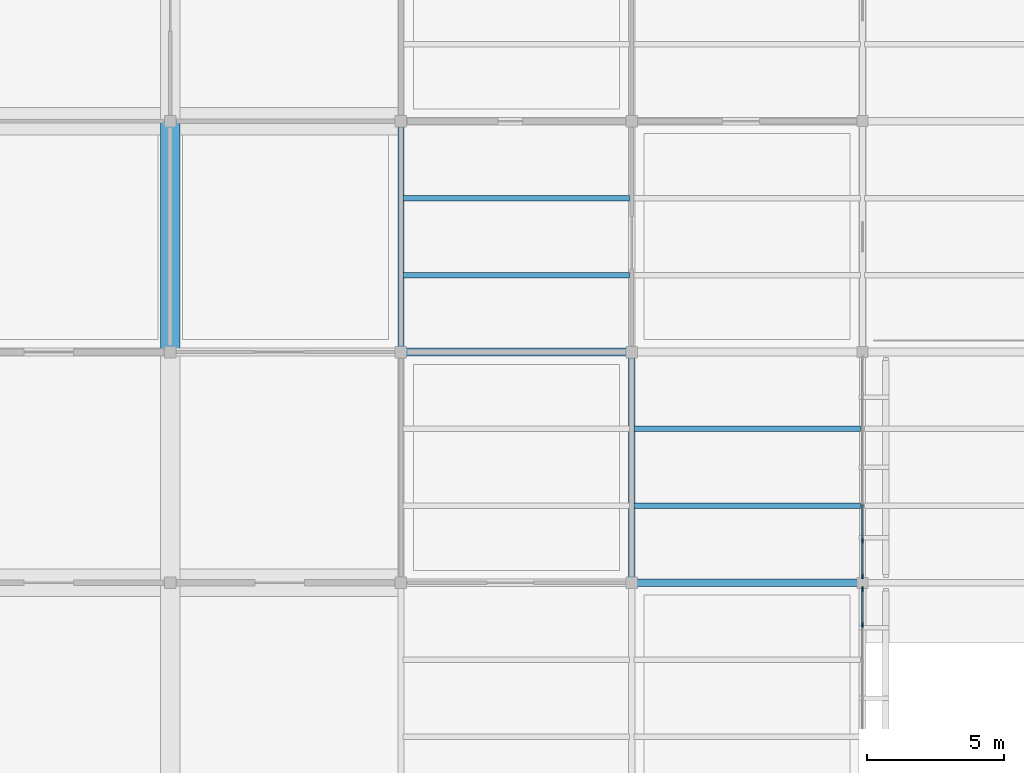
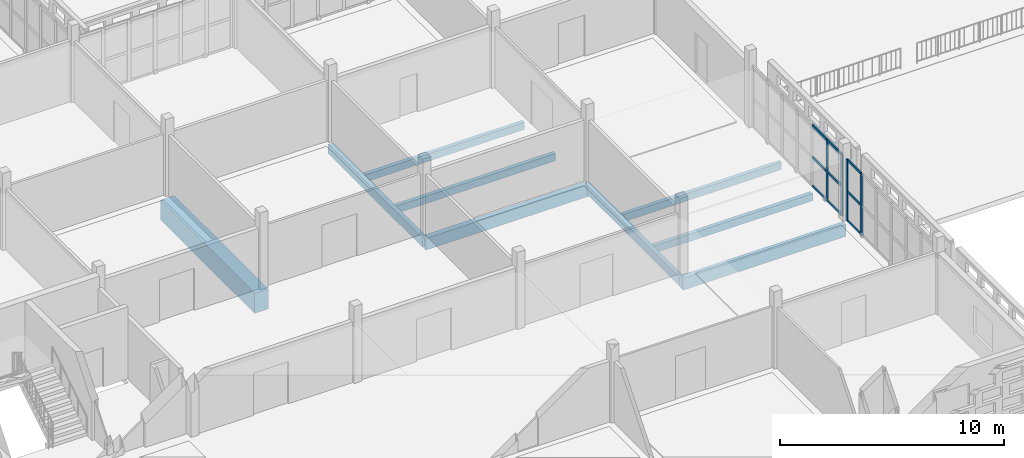
# One storey, part 21 of 166: 13 members, 9 beams, 2 elements without a shape of their own.
"""IFC4 building model written with IfcOpenShell, lengths in metres."""

from ifc_helpers import new_model, si_unit, direction, frame, origin, origin_2d, place, context, subcontext, project, spatial, rectangle, extrude, material, layer, layer_set, material_profile, profile_set, type_object, element, aggregate, save


model = new_model("IFC4")

# Units and contexts
model_context = context("Model", 3, precision=1e-05, world=origin(), true_north=direction((0.0, 1.0)))
body_context = subcontext(model_context, "Body", "Model", "MODEL_VIEW")
ifc_project = project(units=[si_unit("LENGTHUNIT", "METRE"), si_unit("AREAUNIT", "SQUARE_METRE"), si_unit("VOLUMEUNIT", "CUBIC_METRE"), si_unit("PLANEANGLEUNIT", "RADIAN"), si_unit("MASSUNIT", "GRAM", prefix="KILO")], contexts=[model_context])

# Site, building, storey
site_placement = place(None, origin())
site = spatial("IfcSite", under=ifc_project, at=site_placement, CompositionType="ELEMENT")
building_placement = place(site_placement, origin())
building = spatial("IfcBuilding", under=site, at=building_placement, Name="Varnapada Polytechnic", CompositionType="ELEMENT")
storey_placement = place(building_placement, frame((0.0, 0.0, 9.60009765625)))
storey = spatial("IfcBuildingStorey", under=building, at=storey_placement, Name="L02", CompositionType="ELEMENT", Elevation=9.60009765625)

# Beams
ifc_material_1 = material(Name="Concrete C40/50", Category="concrete")
ifc_material_profile_1 = material_profile(ifc_material_1, rectangle(XDim=0.699951171875, YDim=1.10009765625, at=origin_2d()), Name="RC 700x1100")
ifc_profile_set_1 = profile_set([ifc_material_profile_1], Name="Concrete C40/50")
beam_type_1 = type_object("IfcBeamType", Name="Heavy podium primary girder BG-01 (RC 700x1100)", PredefinedType="T_BEAM", material=ifc_profile_set_1)
beam_1_placement = place(storey_placement, frame((33.60009765625, 25.199951171875, -0.800048828125), z_axis=(0.0, 1.0, 0.0), x_axis=(-1.0, 0.0, 0.0)))
element("IfcBeam", 1, at=beam_1_placement, inside=storey, type_object=beam_type_1, Name="L02 Lecture transfer tie Y4-5", PredefinedType="T_BEAM", context=body_context, shape_type="SweptSolid", body=[
    extrude(rectangle(XDim=0.699951171875, YDim=1.10009765625, at=origin_2d()), origin(), (0.0, 0.0, 1.0), 8.400146484375),
])
ifc_material_2 = material(Name="Glulam GL32h", Category="wood")
ifc_material_profile_2 = material_profile(ifc_material_2, rectangle(XDim=0.280029296875, YDim=0.639892578125, at=origin_2d()), Name="GL 280x640")
ifc_profile_set_2 = profile_set([ifc_material_profile_2], Name="Glulam GL32h")
beam_type_2 = type_object("IfcBeamType", Name="Laboratory primary glulam girder GG-02 (GL 280x640)", PredefinedType="BEAM", material=ifc_profile_set_2)
beam_2_placement = place(storey_placement, frame((42.0, 25.199951171875, -0.56005859375), z_axis=(1.0, 0.0, 0.0), x_axis=(0.0, 1.0, 0.0)))
element("IfcBeam", 2, at=beam_2_placement, inside=storey, type_object=beam_type_2, Name="L02 beam X 6-7 at Y4", PredefinedType="BEAM", context=body_context, shape_type="SweptSolid", body=[
    extrude(rectangle(XDim=0.280029296875, YDim=0.639892578125, at=origin_2d()), origin(), (0.0, 0.0, 1.0), 8.39990234375),
])
beam_3_placement = place(storey_placement, frame((50.39990234375, 16.800048828125, -0.590087890625), z_axis=(1.0, 0.0, 0.0), x_axis=(0.0, 1.0, 0.0)))
element("IfcBeam", 3, at=beam_3_placement, inside=storey, type_object=beam_type_2, Name="L02 beam X 7-8 at Y3", PredefinedType="BEAM", context=body_context, shape_type="SweptSolid", body=[
    extrude(rectangle(XDim=0.280029296875, YDim=0.639892578125, at=origin_2d()), origin(), (0.0, 0.0, 1.0), 8.400146484375),
])
ifc_material_profile_3 = material_profile(ifc_material_2, rectangle(XDim=0.219970703125, YDim=0.52001953125, at=origin_2d()), Name="GL 220x520")
ifc_profile_set_3 = profile_set([ifc_material_profile_3], Name="Glulam GL32h")
beam_type_3 = type_object("IfcBeamType", Name="Laboratory transverse glulam beam GB-12 (GL 220x520)", PredefinedType="BEAM", material=ifc_profile_set_3)
beam_4_placement = place(storey_placement, frame((42.0, 25.199951171875, -0.5), z_axis=(0.0, 1.0, 0.0), x_axis=(-1.0, 0.0, 0.0)))
element("IfcBeam", 4, at=beam_4_placement, inside=storey, type_object=beam_type_3, Name="L02 beam Y 4-5 at X6", PredefinedType="BEAM", context=body_context, shape_type="SweptSolid", body=[
    extrude(rectangle(XDim=0.219970703125, YDim=0.52001953125, at=origin_2d()), origin(), (0.0, 0.0, 1.0), 8.400146484375),
])
ifc_material_profile_4 = material_profile(ifc_material_2, rectangle(XDim=0.199951171875, YDim=0.39990234375, at=origin_2d()), Name="GL 200x400")
ifc_profile_set_4 = profile_set([ifc_material_profile_4], Name="Glulam GL32h")
beam_type_4 = type_object("IfcBeamType", Name="Library/laboratory glulam floor joist GJ-01 (GL 200x400)", PredefinedType="JOIST", material=ifc_profile_set_4)
for number, where, z_axis, x_axis, name in (
    (5, (42.080078125, 28.0, -0.440185546875), (1.0, 0.0, 0.0), (0.0, 1.0, 0.0), "L02 floor joist 6/4.1"),
    (6, (42.080078125, 30.800048828125, -0.440185546875), (1.0, 0.0, 0.0), (0.0, 1.0, 0.0), "L02 floor joist 6/4.2"),
    (7, (50.47998046875, 19.60009765625, -0.47021484375), (1.0, 0.0, 0.0), (0.0, 1.0, 0.0), "L02 floor joist 7/3.1"),
    (8, (50.47998046875, 22.39990234375, -0.47021484375), (1.0, 0.0, 0.0), (0.0, 1.0, 0.0), "L02 floor joist 7/3.2"),
):
    element("IfcBeam", number, at=place(storey_placement, frame(where, z_axis=z_axis, x_axis=x_axis)), inside=storey, type_object=beam_type_4, Name=name, PredefinedType="JOIST", context=body_context, shape_type="SweptSolid", body=[
        extrude(rectangle(XDim=0.199951171875, YDim=0.39990234375, at=origin_2d()), origin(), (0.0, 0.0, 1.0), 8.239990234375),
    ])

# Curtain wall, members
ifc_material_3 = material(Name="Double low-E laminated glass", Category="glass")
ifc_layer = layer(ifc_material_3, 0.179931640625)
ifc_layer_set = layer_set([ifc_layer], Name="Double low-E laminated glass")
curtain_wall_type = type_object("IfcCurtainWallType", Name="Curtain Wall CW-04", PredefinedType="NOTDEFINED", material=ifc_layer_set)
curtain_wall_1_placement = place(storey_placement, origin())
curtain_wall_1 = element("IfcCurtainWall", 9, at=curtain_wall_1_placement, inside=storey, type_object=curtain_wall_type, Name="L02 unitised curtain wall CW-04 (155)", PredefinedType="NOTDEFINED")
ifc_material_4 = material(Name="Anodised aluminium", Category="aluminium")
ifc_material_profile_5 = material_profile(ifc_material_4, rectangle(XDim=0.06494140625, YDim=0.179931640625, at=origin_2d()), Name="ALU M65x180")
ifc_profile_set_5 = profile_set([ifc_material_profile_5], Name="Anodised aluminium")
member_type_1 = type_object("IfcMemberType", Name="Mullion M-02", PredefinedType="MULLION", material=ifc_profile_set_5)
member_1_placement = place(storey_placement, frame((58.800048828125, 16.5673828125, 0.0), z_axis=(0.0, 0.0, 1.0), x_axis=(1.0, 0.0, 0.0)))
member_1 = element("IfcMember", 10, at=member_1_placement, type_object=member_type_1, Name="CW-04 mullion 1", PredefinedType="MULLION", context=body_context, shape_type="SweptSolid", body=[
    extrude(rectangle(XDim=0.06494140625, YDim=0.179931640625, at=origin_2d()), origin(), (0.0, 0.0, 1.0), 3.35986328125),
])
member_2_placement = place(storey_placement, frame((58.800048828125, 15.2666015625, 0.0), z_axis=(0.0, 0.0, 1.0), x_axis=(1.0, 0.0, 0.0)))
member_2 = element("IfcMember", 11, at=member_2_placement, type_object=member_type_1, Name="CW-04 mullion 2", PredefinedType="MULLION", context=body_context, shape_type="SweptSolid", body=[
    extrude(rectangle(XDim=0.06494140625, YDim=0.179931640625, at=origin_2d()), origin(), (0.0, 0.0, 1.0), 3.35986328125),
])

curtain_wall_2_placement = place(storey_placement, origin())
curtain_wall_2 = element("IfcCurtainWall", 12, at=curtain_wall_2_placement, inside=storey, type_object=curtain_wall_type, Name="L02 unitised curtain wall CW-04 (156)", PredefinedType="NOTDEFINED")
member_3_placement = place(storey_placement, frame((58.800048828125, 18.333251953125, 0.0), z_axis=(0.0, 0.0, 1.0), x_axis=(1.0, 0.0, 0.0)))
member_3 = element("IfcMember", 13, at=member_3_placement, type_object=member_type_1, Name="CW-04 mullion 6", PredefinedType="MULLION", context=body_context, shape_type="SweptSolid", body=[
    extrude(rectangle(XDim=0.06494140625, YDim=0.179931640625, at=origin_2d()), origin(), (0.0, 0.0, 1.0), 3.35986328125),
])
member_4_placement = place(storey_placement, frame((58.800048828125, 17.032470703125, 0.0), z_axis=(0.0, 0.0, 1.0), x_axis=(1.0, 0.0, 0.0)))
member_4 = element("IfcMember", 14, at=member_4_placement, type_object=member_type_1, Name="CW-04 mullion 7", PredefinedType="MULLION", context=body_context, shape_type="SweptSolid", body=[
    extrude(rectangle(XDim=0.06494140625, YDim=0.179931640625, at=origin_2d()), origin(), (0.0, 0.0, 1.0), 3.35986328125),
])

# Member
ifc_material_profile_6 = material_profile(ifc_material_4, rectangle(XDim=0.06494140625, YDim=0.139892578125, at=origin_2d()), Name="ALU T65x140")
ifc_profile_set_6 = profile_set([ifc_material_profile_6], Name="Anodised aluminium")
member_type_2 = type_object("IfcMemberType", Name="Transom T-02", PredefinedType="USERDEFINED", material=ifc_profile_set_6)
member_5_placement = place(storey_placement, frame((58.800048828125, 16.534912109375, 0.032470703125), z_axis=(0.0, -1.0, 0.0), x_axis=(1.0, 0.0, 0.0)))
member_5 = element("IfcMember", 15, at=member_5_placement, type_object=member_type_2, Name="CW-04 transom 1.1", ObjectType="TRANSOM", PredefinedType="USERDEFINED", context=body_context, shape_type="SweptSolid", body=[
    extrude(rectangle(XDim=0.06494140625, YDim=0.139892578125, at=origin_2d()), origin(), (0.0, 0.0, 1.0), 1.23583984375),
])

member_6_placement = place(storey_placement, frame((58.800048828125, 16.534912109375, 1.61279296875), z_axis=(0.0, -1.0, 0.0), x_axis=(1.0, 0.0, 0.0)))
member_6 = element("IfcMember", 16, at=member_6_placement, type_object=member_type_2, Name="CW-04 transom 1.2", ObjectType="TRANSOM", PredefinedType="USERDEFINED", context=body_context, shape_type="SweptSolid", body=[
    extrude(rectangle(XDim=0.06494140625, YDim=0.139892578125, at=origin_2d()), origin(), (0.0, 0.0, 1.0), 1.23583984375),
])

member_7_placement = place(storey_placement, frame((58.800048828125, 16.534912109375, 3.327392578125), z_axis=(0.0, -1.0, 0.0), x_axis=(1.0, 0.0, 0.0)))
member_7 = element("IfcMember", 17, at=member_7_placement, type_object=member_type_2, Name="CW-04 transom 1.3", ObjectType="TRANSOM", PredefinedType="USERDEFINED", context=body_context, shape_type="SweptSolid", body=[
    extrude(rectangle(XDim=0.06494140625, YDim=0.139892578125, at=origin_2d()), origin(), (0.0, 0.0, 1.0), 1.23583984375),
])

aggregate(curtain_wall_1, [member_1, member_2, member_5, member_6, member_7])

member_8_placement = place(storey_placement, frame((58.800048828125, 19.63427734375, 0.032470703125), z_axis=(0.0, -1.0, 0.0), x_axis=(1.0, 0.0, 0.0)))
member_8 = element("IfcMember", 18, at=member_8_placement, type_object=member_type_2, Name="CW-04 transom 5.1", ObjectType="TRANSOM", PredefinedType="USERDEFINED", context=body_context, shape_type="SweptSolid", body=[
    extrude(rectangle(XDim=0.06494140625, YDim=0.139892578125, at=origin_2d()), origin(), (0.0, 0.0, 1.0), 1.2685546875),
])

member_9_placement = place(storey_placement, frame((58.800048828125, 19.63427734375, 1.61279296875), z_axis=(0.0, -1.0, 0.0), x_axis=(1.0, 0.0, 0.0)))
member_9 = element("IfcMember", 19, at=member_9_placement, type_object=member_type_2, Name="CW-04 transom 5.2", ObjectType="TRANSOM", PredefinedType="USERDEFINED", context=body_context, shape_type="SweptSolid", body=[
    extrude(rectangle(XDim=0.06494140625, YDim=0.139892578125, at=origin_2d()), origin(), (0.0, 0.0, 1.0), 1.2685546875),
])

member_10_placement = place(storey_placement, frame((58.800048828125, 19.63427734375, 3.327392578125), z_axis=(0.0, -1.0, 0.0), x_axis=(1.0, 0.0, 0.0)))
member_10 = element("IfcMember", 20, at=member_10_placement, type_object=member_type_2, Name="CW-04 transom 5.3", ObjectType="TRANSOM", PredefinedType="USERDEFINED", context=body_context, shape_type="SweptSolid", body=[
    extrude(rectangle(XDim=0.06494140625, YDim=0.139892578125, at=origin_2d()), origin(), (0.0, 0.0, 1.0), 1.2685546875),
])

member_11_placement = place(storey_placement, frame((58.800048828125, 18.30078125, 0.032470703125), z_axis=(0.0, -1.0, 0.0), x_axis=(1.0, 0.0, 0.0)))
member_11 = element("IfcMember", 21, at=member_11_placement, type_object=member_type_2, Name="CW-04 transom 6.1", ObjectType="TRANSOM", PredefinedType="USERDEFINED", context=body_context, shape_type="SweptSolid", body=[
    extrude(rectangle(XDim=0.06494140625, YDim=0.139892578125, at=origin_2d()), origin(), (0.0, 0.0, 1.0), 1.23583984375),
])

member_12_placement = place(storey_placement, frame((58.800048828125, 18.30078125, 1.61279296875), z_axis=(0.0, -1.0, 0.0), x_axis=(1.0, 0.0, 0.0)))
member_12 = element("IfcMember", 22, at=member_12_placement, type_object=member_type_2, Name="CW-04 transom 6.2", ObjectType="TRANSOM", PredefinedType="USERDEFINED", context=body_context, shape_type="SweptSolid", body=[
    extrude(rectangle(XDim=0.06494140625, YDim=0.139892578125, at=origin_2d()), origin(), (0.0, 0.0, 1.0), 1.23583984375),
])

member_13_placement = place(storey_placement, frame((58.800048828125, 18.30078125, 3.327392578125), z_axis=(0.0, -1.0, 0.0), x_axis=(1.0, 0.0, 0.0)))
member_13 = element("IfcMember", 23, at=member_13_placement, type_object=member_type_2, Name="CW-04 transom 6.3", ObjectType="TRANSOM", PredefinedType="USERDEFINED", context=body_context, shape_type="SweptSolid", body=[
    extrude(rectangle(XDim=0.06494140625, YDim=0.139892578125, at=origin_2d()), origin(), (0.0, 0.0, 1.0), 1.23583984375),
])

aggregate(curtain_wall_2, [member_3, member_4, member_8, member_9, member_10, member_11, member_12, member_13])

# Beam
ifc_material_profile_7 = material_profile(ifc_material_2, rectangle(XDim=0.219970703125, YDim=0.47998046875, at=origin_2d()), Name="GL 220x480")
ifc_profile_set_7 = profile_set([ifc_material_profile_7], Name="Glulam GL32h")
beam_type_5 = type_object("IfcBeamType", Name="Upper floor glulam tie beam GB-11 (GL 220x480)", PredefinedType="BEAM", material=ifc_profile_set_7)
beam_5_placement = place(storey_placement, frame((50.39990234375, 16.800048828125, -0.47998046875), z_axis=(0.0, 1.0, 0.0), x_axis=(-1.0, 0.0, 0.0)))
element("IfcBeam", 24, at=beam_5_placement, inside=storey, type_object=beam_type_5, Name="L02 beam Y 3-4 at X7", PredefinedType="BEAM", context=body_context, shape_type="SweptSolid", body=[
    extrude(rectangle(XDim=0.219970703125, YDim=0.47998046875, at=origin_2d()), origin(), (0.0, 0.0, 1.0), 8.39990234375),
])

save(model, "model.ifc")
